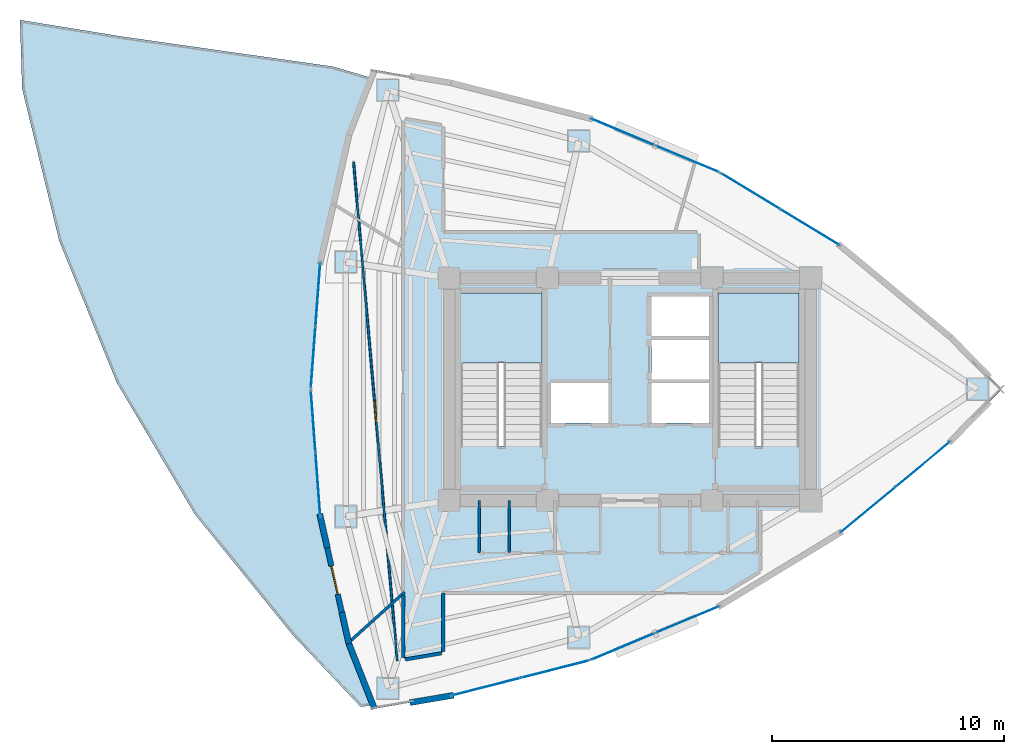
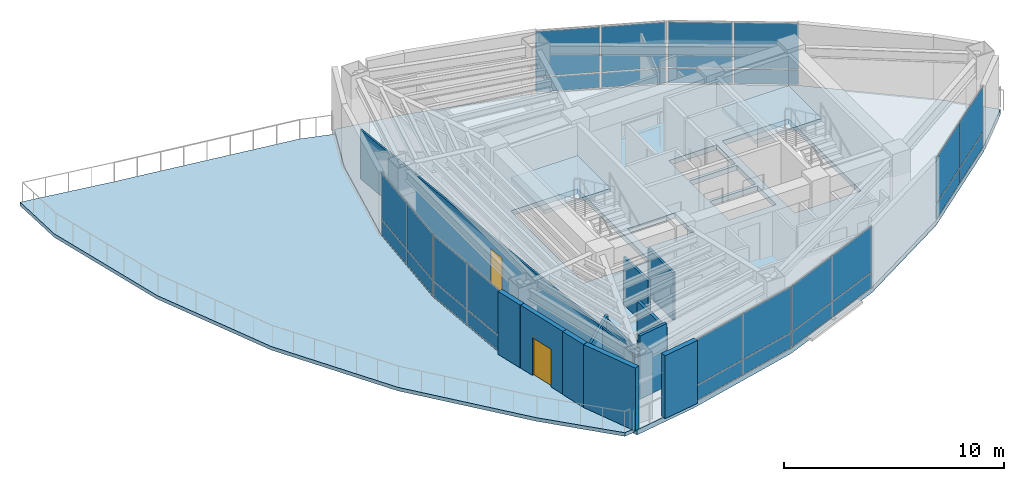
# One storey, part 12 of 17: 28 plates, 12 walls, 4 slabs, 2 doors, 2 openings, 9 elements without a shape of their own.
"""IFC4 building model written with IfcOpenShell, lengths in metres."""

from ifc_helpers import new_model, si_unit, direction, frame, frame_2d, origin, origin_2d, place, context, subcontext, project, spatial, polyline, rectangle, outline, extrude, material, layer, layer_set, type_object, element, fill, aggregate, save


model = new_model("IFC4")

# Units and contexts
model_context = context("Model", 3, precision=1e-05, world=origin(), true_north=direction((0.0, 1.0)))
body_context = subcontext(model_context, "Body", "Model", "MODEL_VIEW")
ifc_project = project(units=[si_unit("LENGTHUNIT", "METRE"), si_unit("AREAUNIT", "SQUARE_METRE"), si_unit("VOLUMEUNIT", "CUBIC_METRE"), si_unit("PLANEANGLEUNIT", "RADIAN"), si_unit("MASSUNIT", "GRAM", prefix="KILO")], contexts=[model_context])

# Site, building, storey
site_placement = place(None, origin())
site = spatial("IfcSite", under=ifc_project, at=site_placement, CompositionType="ELEMENT")
building_placement = place(site_placement, origin())
building = spatial("IfcBuilding", under=site, at=building_placement, Name="Menara Vayukalpa", CompositionType="ELEMENT")
storey_placement = place(building_placement, frame((0.0, 0.0, 206.39990234375)))
storey = spatial("IfcBuildingStorey", under=building, at=storey_placement, Name="L52", CompositionType="ELEMENT", Elevation=206.39990234375)

# Curtain wall, plates
ifc_material_1 = material(Name="Anodised Terracotta Aluminium Alloy 6063-T6", Category="masonry")
ifc_layer_1 = layer(ifc_material_1, 0.139892578125)
ifc_layer_set_1 = layer_set([ifc_layer_1], Name="Anodised Terracotta Aluminium Alloy 6063-T6")
curtain_wall_type = type_object("IfcCurtainWallType", Name="CW-CW5", PredefinedType="USERDEFINED", material=ifc_layer_set_1)
curtain_wall_1_placement = place(storey_placement, origin())
curtain_wall_1 = element("IfcCurtainWall", 1, at=curtain_wall_1_placement, inside=storey, type_object=curtain_wall_type, Name="L52 High Rise Tapered Curtain Wall CW5 04", ObjectType="UNITISED", PredefinedType="USERDEFINED")
ifc_material_2 = material(Name="Low-E Double Glazing", Category="glass")
ifc_layer_2 = layer(ifc_material_2, 0.028076171875)
ifc_layer_set_2 = layer_set([ifc_layer_2], Name="Low-E Double Glazing")
plate_type = type_object("IfcPlateType", Name="CWP-CW5", PredefinedType="CURTAIN_PANEL", material=ifc_layer_set_2)
plate_1_placement = place(storey_placement, frame((33.358642578125, 28.994384765625, 0.06005859375), z_axis=(0.0, 0.0, 1.0), x_axis=(-0.854664974832, 0.519179911779, 0.0)))
plate_1 = element("IfcPlate", 2, at=plate_1_placement, type_object=plate_type, Name="CW5 panel 1.1", PredefinedType="CURTAIN_PANEL", context=body_context, shape_type="SweptSolid", body=[
    extrude(rectangle(XDim=2.9423828125, YDim=0.028076171875, at=origin_2d()), origin(), (0.0, 0.0, 1.0), 0.81005859375),
])
plate_2_placement = place(storey_placement, frame((33.358642578125, 28.994384765625, 0.93017578125), z_axis=(0.0, 0.0, 1.0), x_axis=(-0.854664974832, 0.519179911779, 0.0)))
plate_2 = element("IfcPlate", 3, at=plate_2_placement, type_object=plate_type, Name="CW5 panel 1.2", PredefinedType="CURTAIN_PANEL", context=body_context, shape_type="SweptSolid", body=[
    extrude(rectangle(XDim=2.9423828125, YDim=0.028076171875, at=origin_2d()), origin(), (0.0, 0.0, 1.0), 2.510009765625),
])
plate_3_placement = place(storey_placement, frame((30.79248046875, 30.55322265625, 0.06005859375), z_axis=(0.0, 0.0, 1.0), x_axis=(-0.854664974832, 0.519179911779, 0.0)))
plate_3 = element("IfcPlate", 4, at=plate_3_placement, type_object=plate_type, Name="CW5 panel 2.1", PredefinedType="CURTAIN_PANEL", context=body_context, shape_type="SweptSolid", body=[
    extrude(rectangle(XDim=2.9423828125, YDim=0.028076171875, at=origin_2d()), origin(), (0.0, 0.0, 1.0), 0.81005859375),
])
plate_4_placement = place(storey_placement, frame((30.79248046875, 30.55322265625, 0.93017578125), z_axis=(0.0, 0.0, 1.0), x_axis=(-0.854664974832, 0.519179911779, 0.0)))
plate_4 = element("IfcPlate", 5, at=plate_4_placement, type_object=plate_type, Name="CW5 panel 2.2", PredefinedType="CURTAIN_PANEL", context=body_context, shape_type="SweptSolid", body=[
    extrude(rectangle(XDim=2.9423828125, YDim=0.028076171875, at=origin_2d()), origin(), (0.0, 0.0, 1.0), 2.510009765625),
])
aggregate(curtain_wall_1, [plate_1, plate_2, plate_3, plate_4])

curtain_wall_2_placement = place(storey_placement, origin())
curtain_wall_2 = element("IfcCurtainWall", 6, at=curtain_wall_2_placement, inside=storey, type_object=curtain_wall_type, Name="L52 High Rise Tapered Curtain Wall CW5 05", ObjectType="UNITISED", PredefinedType="USERDEFINED")
plate_5_placement = place(storey_placement, frame((28.071044921875, 31.93896484375, 0.06005859375), z_axis=(0.0, 0.0, 1.0), x_axis=(-0.922539431351, 0.385902834406, 0.0)))
plate_5 = element("IfcPlate", 7, at=plate_5_placement, type_object=plate_type, Name="CW5 panel 1.1", PredefinedType="CURTAIN_PANEL", context=body_context, shape_type="SweptSolid", body=[
    extrude(rectangle(XDim=2.9423828125, YDim=0.028076171875, at=origin_2d()), origin(), (0.0, 0.0, 1.0), 0.81005859375),
])
plate_6_placement = place(storey_placement, frame((28.071044921875, 31.93896484375, 0.93017578125), z_axis=(0.0, 0.0, 1.0), x_axis=(-0.922539431351, 0.385902834406, 0.0)))
plate_6 = element("IfcPlate", 8, at=plate_6_placement, type_object=plate_type, Name="CW5 panel 1.2", PredefinedType="CURTAIN_PANEL", context=body_context, shape_type="SweptSolid", body=[
    extrude(rectangle(XDim=2.9423828125, YDim=0.028076171875, at=origin_2d()), origin(), (0.0, 0.0, 1.0), 2.510009765625),
])
plate_7_placement = place(storey_placement, frame((25.30126953125, 33.09765625, 0.06005859375), z_axis=(0.0, 0.0, 1.0), x_axis=(-0.922539431351, 0.385902834406, 0.0)))
plate_7 = element("IfcPlate", 9, at=plate_7_placement, type_object=plate_type, Name="CW5 panel 2.1", PredefinedType="CURTAIN_PANEL", context=body_context, shape_type="SweptSolid", body=[
    extrude(rectangle(XDim=2.9423828125, YDim=0.028076171875, at=origin_2d()), origin(), (0.0, 0.0, 1.0), 0.81005859375),
])
plate_8_placement = place(storey_placement, frame((25.30126953125, 33.09765625, 0.93017578125), z_axis=(0.0, 0.0, 1.0), x_axis=(-0.922539431351, 0.385902834406, 0.0)))
plate_8 = element("IfcPlate", 10, at=plate_8_placement, type_object=plate_type, Name="CW5 panel 2.2", PredefinedType="CURTAIN_PANEL", context=body_context, shape_type="SweptSolid", body=[
    extrude(rectangle(XDim=2.9423828125, YDim=0.028076171875, at=origin_2d()), origin(), (0.0, 0.0, 1.0), 2.510009765625),
])
aggregate(curtain_wall_2, [plate_5, plate_6, plate_7, plate_8])

curtain_wall_3_placement = place(storey_placement, origin())
curtain_wall_3 = element("IfcCurtainWall", 11, at=curtain_wall_3_placement, inside=storey, type_object=curtain_wall_type, Name="L52 High Rise Tapered Curtain Wall CW5 10", ObjectType="UNITISED", PredefinedType="USERDEFINED")
plate_9_placement = place(storey_placement, frame((12.139892578125, 26.10205078125, 0.06005859375), z_axis=(0.0, 0.0, 1.0), x_axis=(-0.074791754736, -0.9971991744, 0.0)))
plate_9 = element("IfcPlate", 12, at=plate_9_placement, type_object=plate_type, Name="CW5 panel 1.1", PredefinedType="CURTAIN_PANEL", context=body_context, shape_type="SweptSolid", body=[
    extrude(rectangle(XDim=2.662353515625, YDim=0.028076171875, at=origin_2d()), origin(), (0.0, 0.0, 1.0), 0.81005859375),
])
plate_10_placement = place(storey_placement, frame((12.139892578125, 26.10205078125, 0.93017578125), z_axis=(0.0, 0.0, 1.0), x_axis=(-0.074791754736, -0.9971991744, 0.0)))
plate_10 = element("IfcPlate", 13, at=plate_10_placement, type_object=plate_type, Name="CW5 panel 1.2", PredefinedType="CURTAIN_PANEL", context=body_context, shape_type="SweptSolid", body=[
    extrude(rectangle(XDim=2.662353515625, YDim=0.028076171875, at=origin_2d()), origin(), (0.0, 0.0, 1.0), 2.510009765625),
])
plate_11_placement = place(storey_placement, frame((11.936279296875, 23.38720703125, 0.06005859375), z_axis=(0.0, 0.0, 1.0), x_axis=(-0.074791754736, -0.9971991744, 0.0)))
plate_11 = element("IfcPlate", 14, at=plate_11_placement, type_object=plate_type, Name="CW5 panel 2.1", PredefinedType="CURTAIN_PANEL", context=body_context, shape_type="SweptSolid", body=[
    extrude(rectangle(XDim=2.662353515625, YDim=0.028076171875, at=origin_2d()), origin(), (0.0, 0.0, 1.0), 0.81005859375),
])
plate_12_placement = place(storey_placement, frame((11.936279296875, 23.38720703125, 0.93017578125), z_axis=(0.0, 0.0, 1.0), x_axis=(-0.074791754736, -0.9971991744, 0.0)))
plate_12 = element("IfcPlate", 15, at=plate_12_placement, type_object=plate_type, Name="CW5 panel 2.2", PredefinedType="CURTAIN_PANEL", context=body_context, shape_type="SweptSolid", body=[
    extrude(rectangle(XDim=2.662353515625, YDim=0.028076171875, at=origin_2d()), origin(), (0.0, 0.0, 1.0), 2.510009765625),
])
aggregate(curtain_wall_3, [plate_9, plate_10, plate_11, plate_12])

curtain_wall_4_placement = place(storey_placement, origin())
curtain_wall_4 = element("IfcCurtainWall", 16, at=curtain_wall_4_placement, inside=storey, type_object=curtain_wall_type, Name="L52 High Rise Tapered Curtain Wall CW5 11", ObjectType="UNITISED", PredefinedType="USERDEFINED")
plate_13_placement = place(storey_placement, frame((11.936279296875, 20.61279296875, 0.06005859375), z_axis=(0.0, 0.0, 1.0), x_axis=(0.074791754736, -0.9971991744, 0.0)))
plate_13 = element("IfcPlate", 17, at=plate_13_placement, type_object=plate_type, Name="CW5 panel 1.1", PredefinedType="CURTAIN_PANEL", context=body_context, shape_type="SweptSolid", body=[
    extrude(rectangle(XDim=2.662353515625, YDim=0.028076171875, at=origin_2d()), origin(), (0.0, 0.0, 1.0), 0.81005859375),
])
plate_14_placement = place(storey_placement, frame((11.936279296875, 20.61279296875, 0.93017578125), z_axis=(0.0, 0.0, 1.0), x_axis=(0.074791754736, -0.9971991744, 0.0)))
plate_14 = element("IfcPlate", 18, at=plate_14_placement, type_object=plate_type, Name="CW5 panel 1.2", PredefinedType="CURTAIN_PANEL", context=body_context, shape_type="SweptSolid", body=[
    extrude(rectangle(XDim=2.662353515625, YDim=0.028076171875, at=origin_2d()), origin(), (0.0, 0.0, 1.0), 2.510009765625),
])
plate_15_placement = place(storey_placement, frame((12.139892578125, 17.89794921875, 0.06005859375), z_axis=(0.0, 0.0, 1.0), x_axis=(0.074791754736, -0.9971991744, 0.0)))
plate_15 = element("IfcPlate", 19, at=plate_15_placement, type_object=plate_type, Name="CW5 panel 2.1", PredefinedType="CURTAIN_PANEL", context=body_context, shape_type="SweptSolid", body=[
    extrude(rectangle(XDim=2.662353515625, YDim=0.028076171875, at=origin_2d()), origin(), (0.0, 0.0, 1.0), 0.81005859375),
])
plate_16_placement = place(storey_placement, frame((12.139892578125, 17.89794921875, 0.93017578125), z_axis=(0.0, 0.0, 1.0), x_axis=(0.074791754736, -0.9971991744, 0.0)))
plate_16 = element("IfcPlate", 20, at=plate_16_placement, type_object=plate_type, Name="CW5 panel 2.2", PredefinedType="CURTAIN_PANEL", context=body_context, shape_type="SweptSolid", body=[
    extrude(rectangle(XDim=2.662353515625, YDim=0.028076171875, at=origin_2d()), origin(), (0.0, 0.0, 1.0), 2.510009765625),
])
aggregate(curtain_wall_4, [plate_13, plate_14, plate_15, plate_16])

curtain_wall_5_placement = place(storey_placement, origin())
curtain_wall_5 = element("IfcCurtainWall", 21, at=curtain_wall_5_placement, inside=storey, type_object=curtain_wall_type, Name="L52 High Rise Tapered Curtain Wall CW5 16", ObjectType="UNITISED", PredefinedType="USERDEFINED")
plate_17_placement = place(storey_placement, frame((19.39794921875, 9.166015625, 0.06005859375), z_axis=(0.0, 0.0, 1.0), x_axis=(0.968982503631, 0.247129333864, 0.0)))
plate_17 = element("IfcPlate", 22, at=plate_17_placement, type_object=plate_type, Name="CW5 panel 1.1", PredefinedType="CURTAIN_PANEL", context=body_context, shape_type="SweptSolid", body=[
    extrude(rectangle(XDim=3.009521484375, YDim=0.028076171875, at=origin_2d()), origin(), (0.0, 0.0, 1.0), 0.81005859375),
])
plate_18_placement = place(storey_placement, frame((19.39794921875, 9.166015625, 0.93017578125), z_axis=(0.0, 0.0, 1.0), x_axis=(0.968982503631, 0.247129333864, 0.0)))
plate_18 = element("IfcPlate", 23, at=plate_18_placement, type_object=plate_type, Name="CW5 panel 1.2", PredefinedType="CURTAIN_PANEL", context=body_context, shape_type="SweptSolid", body=[
    extrude(rectangle(XDim=3.009521484375, YDim=0.028076171875, at=origin_2d()), origin(), (0.0, 0.0, 1.0), 2.510009765625),
])
plate_19_placement = place(storey_placement, frame((22.372314453125, 9.9248046875, 0.06005859375), z_axis=(0.0, 0.0, 1.0), x_axis=(0.968982503631, 0.247129333864, 0.0)))
plate_19 = element("IfcPlate", 24, at=plate_19_placement, type_object=plate_type, Name="CW5 panel 2.1", PredefinedType="CURTAIN_PANEL", context=body_context, shape_type="SweptSolid", body=[
    extrude(rectangle(XDim=3.009521484375, YDim=0.028076171875, at=origin_2d()), origin(), (0.0, 0.0, 1.0), 0.81005859375),
])
plate_20_placement = place(storey_placement, frame((22.372314453125, 9.9248046875, 0.93017578125), z_axis=(0.0, 0.0, 1.0), x_axis=(0.968982503631, 0.247129333864, 0.0)))
plate_20 = element("IfcPlate", 25, at=plate_20_placement, type_object=plate_type, Name="CW5 panel 2.2", PredefinedType="CURTAIN_PANEL", context=body_context, shape_type="SweptSolid", body=[
    extrude(rectangle(XDim=3.009521484375, YDim=0.028076171875, at=origin_2d()), origin(), (0.0, 0.0, 1.0), 2.510009765625),
])
aggregate(curtain_wall_5, [plate_17, plate_18, plate_19, plate_20])

curtain_wall_6_placement = place(storey_placement, origin())
curtain_wall_6 = element("IfcCurtainWall", 26, at=curtain_wall_6_placement, inside=storey, type_object=curtain_wall_type, Name="L52 High Rise Tapered Curtain Wall CW5 17", ObjectType="UNITISED", PredefinedType="USERDEFINED")
plate_21_placement = place(storey_placement, frame((25.30126953125, 10.90234375, 0.06005859375), z_axis=(0.0, 0.0, 1.0), x_axis=(0.922539431351, 0.385902834406, 0.0)))
plate_21 = element("IfcPlate", 27, at=plate_21_placement, type_object=plate_type, Name="CW5 panel 1.1", PredefinedType="CURTAIN_PANEL", context=body_context, shape_type="SweptSolid", body=[
    extrude(rectangle(XDim=2.9423828125, YDim=0.028076171875, at=origin_2d()), origin(), (0.0, 0.0, 1.0), 0.81005859375),
])
plate_22_placement = place(storey_placement, frame((25.30126953125, 10.90234375, 0.93017578125), z_axis=(0.0, 0.0, 1.0), x_axis=(0.922539431351, 0.385902834406, 0.0)))
plate_22 = element("IfcPlate", 28, at=plate_22_placement, type_object=plate_type, Name="CW5 panel 1.2", PredefinedType="CURTAIN_PANEL", context=body_context, shape_type="SweptSolid", body=[
    extrude(rectangle(XDim=2.9423828125, YDim=0.028076171875, at=origin_2d()), origin(), (0.0, 0.0, 1.0), 2.510009765625),
])
plate_23_placement = place(storey_placement, frame((28.071044921875, 12.06103515625, 0.06005859375), z_axis=(0.0, 0.0, 1.0), x_axis=(0.922539431351, 0.385902834406, 0.0)))
plate_23 = element("IfcPlate", 29, at=plate_23_placement, type_object=plate_type, Name="CW5 panel 2.1", PredefinedType="CURTAIN_PANEL", context=body_context, shape_type="SweptSolid", body=[
    extrude(rectangle(XDim=2.9423828125, YDim=0.028076171875, at=origin_2d()), origin(), (0.0, 0.0, 1.0), 0.81005859375),
])
plate_24_placement = place(storey_placement, frame((28.071044921875, 12.06103515625, 0.93017578125), z_axis=(0.0, 0.0, 1.0), x_axis=(0.922539431351, 0.385902834406, 0.0)))
plate_24 = element("IfcPlate", 30, at=plate_24_placement, type_object=plate_type, Name="CW5 panel 2.2", PredefinedType="CURTAIN_PANEL", context=body_context, shape_type="SweptSolid", body=[
    extrude(rectangle(XDim=2.9423828125, YDim=0.028076171875, at=origin_2d()), origin(), (0.0, 0.0, 1.0), 2.510009765625),
])
aggregate(curtain_wall_6, [plate_21, plate_22, plate_23, plate_24])

curtain_wall_7_placement = place(storey_placement, origin())
curtain_wall_7 = element("IfcCurtainWall", 31, at=curtain_wall_7_placement, inside=storey, type_object=curtain_wall_type, Name="L52 High Rise Tapered Curtain Wall CW5 19", ObjectType="UNITISED", PredefinedType="USERDEFINED")
plate_25_placement = place(storey_placement, frame((35.871826171875, 16.799560546875, 0.06005859375), z_axis=(0.0, 0.0, 1.0), x_axis=(0.769756800455, 0.638337268341, 0.0)))
plate_25 = element("IfcPlate", 32, at=plate_25_placement, type_object=plate_type, Name="CW5 panel 1.1", PredefinedType="CURTAIN_PANEL", context=body_context, shape_type="SweptSolid", body=[
    extrude(rectangle(XDim=3.009521484375, YDim=0.028076171875, at=origin_2d()), origin(), (0.0, 0.0, 1.0), 0.81005859375),
])
plate_26_placement = place(storey_placement, frame((35.871826171875, 16.799560546875, 0.93017578125), z_axis=(0.0, 0.0, 1.0), x_axis=(0.769756800455, 0.638337268341, 0.0)))
plate_26 = element("IfcPlate", 33, at=plate_26_placement, type_object=plate_type, Name="CW5 panel 1.2", PredefinedType="CURTAIN_PANEL", context=body_context, shape_type="SweptSolid", body=[
    extrude(rectangle(XDim=3.009521484375, YDim=0.028076171875, at=origin_2d()), origin(), (0.0, 0.0, 1.0), 2.510009765625),
])
plate_27_placement = place(storey_placement, frame((38.234619140625, 18.759033203125, 0.06005859375), z_axis=(0.0, 0.0, 1.0), x_axis=(0.769756800455, 0.638337268341, 0.0)))
plate_27 = element("IfcPlate", 34, at=plate_27_placement, type_object=plate_type, Name="CW5 panel 2.1", PredefinedType="CURTAIN_PANEL", context=body_context, shape_type="SweptSolid", body=[
    extrude(rectangle(XDim=3.009521484375, YDim=0.028076171875, at=origin_2d()), origin(), (0.0, 0.0, 1.0), 0.81005859375),
])
plate_28_placement = place(storey_placement, frame((38.234619140625, 18.759033203125, 0.93017578125), z_axis=(0.0, 0.0, 1.0), x_axis=(0.769756800455, 0.638337268341, 0.0)))
plate_28 = element("IfcPlate", 35, at=plate_28_placement, type_object=plate_type, Name="CW5 panel 2.2", PredefinedType="CURTAIN_PANEL", context=body_context, shape_type="SweptSolid", body=[
    extrude(rectangle(XDim=3.009521484375, YDim=0.028076171875, at=origin_2d()), origin(), (0.0, 0.0, 1.0), 2.510009765625),
])
aggregate(curtain_wall_7, [plate_25, plate_26, plate_27, plate_28])

# Slab
ifc_material_3 = material(Name="Concrete C40/50", Category="concrete")
ifc_layer_3 = layer(ifc_material_3, 0.280029296875)
ifc_layer_set_3 = layer_set([ifc_layer_3], Name="Concrete C40/50")
slab_type_1 = type_object("IfcSlabType", Name="SLB-FL280", PredefinedType="FLOOR", material=ifc_layer_set_3)
slab_1_placement = place(storey_placement, frame((0.0, 0.0, -0.27978515625)))
element("IfcSlab", 36, at=slab_1_placement, inside=storey, type_object=slab_type_1, Name="L52 Structural Floor Slab", PredefinedType="FLOOR", context=body_context, shape_type="SweptSolid", body=[
    extrude(outline(polyline([(39.439208984375, 19.7578125), (41.640380859375, 22.0), (39.439208984375, 24.2421875), (34.667236328125, 28.19921875), (29.48388671875, 31.34814453125), (23.888671875, 33.688720703125), (17.881591796875, 35.220703125), (14.579833984375, 35.781005859375), (13.47900390625, 32.978515625), (12.243896484375, 27.4892578125), (11.832275390625, 22.0), (12.243896484375, 16.5107421875), (13.47900390625, 11.021484375), (14.579833984375, 8.218994140625), (17.881591796875, 8.779296875), (23.888671875, 10.311279296875), (29.48388671875, 12.65185546875), (34.667236328125, 15.80078125), (39.439208984375, 19.7578125)]), holes=[polyline([(21.800048828125, 19.550048828125), (21.800048828125, 26.14990234375), (18.300048828125, 26.14990234375), (18.300048828125, 19.550048828125), (21.800048828125, 19.550048828125)]), polyline([(32.89990234375, 19.550048828125), (32.89990234375, 26.14990234375), (29.39990234375, 26.14990234375), (29.39990234375, 19.550048828125), (32.89990234375, 19.550048828125)]), polyline([(22.179931640625, 20.550048828125), (24.679931640625, 20.550048828125), (24.679931640625, 22.27001953125), (22.179931640625, 22.27001953125), (22.179931640625, 20.550048828125)]), polyline([(26.52001953125, 20.550048828125), (29.02001953125, 20.550048828125), (29.02001953125, 22.27001953125), (26.52001953125, 22.27001953125), (26.52001953125, 20.550048828125)]), polyline([(26.52001953125, 24.2900390625), (29.02001953125, 24.2900390625), (29.02001953125, 26.010009765625), (26.52001953125, 26.010009765625), (26.52001953125, 24.2900390625)]), polyline([(26.52001953125, 22.419921875), (29.02001953125, 22.419921875), (29.02001953125, 24.139892578125), (26.52001953125, 24.139892578125), (26.52001953125, 22.419921875)])]), origin(), (0.0, 0.0, 1.0), 0.27978515625),
])

# Stair, slab
ifc_material_4 = material(Name="Precast Concrete C40/50", Category="concrete")
stair_type = type_object("IfcStairType", Name="STR-T04", PredefinedType="DOUBLE_RETURN_STAIR", material=ifc_material_4)
stair_1_placement = place(storey_placement, origin())
stair_1 = element("IfcStair", 37, at=stair_1_placement, inside=storey, type_object=stair_type, Name="L52 Core Exit Stair ST-1", PredefinedType="DOUBLE_RETURN_STAIR")
ifc_material_5 = material(Name="Precast Concrete C40/50", Category="concrete")
ifc_layer_4 = layer(ifc_material_5, 0.199951171875)
ifc_layer_set_4 = layer_set([ifc_layer_4], Name="Precast Concrete C40/50")
slab_type_2 = type_object("IfcSlabType", Name="SLB-LND200", PredefinedType="LANDING", material=ifc_layer_set_4)
slab_2_placement = place(storey_placement, frame((0.0, 0.0, 1.66015625)))
slab_2 = element("IfcSlab", 38, at=slab_2_placement, type_object=slab_type_2, Name="ST-1 landing 1", PredefinedType="LANDING", context=body_context, shape_type="SweptSolid", body=[
    extrude(outline(polyline([(21.800048828125, 23.1298828125), (21.800048828125, 26.14990234375), (18.300048828125, 26.14990234375), (18.300048828125, 23.1298828125), (21.800048828125, 23.1298828125)])), origin(), (0.0, 0.0, 1.0), 0.199951171875),
])
aggregate(stair_1, [slab_2])

stair_2_placement = place(storey_placement, origin())
stair_2 = element("IfcStair", 39, at=stair_2_placement, inside=storey, type_object=stair_type, Name="L52 Core Exit Stair ST-2", PredefinedType="DOUBLE_RETURN_STAIR")
slab_3_placement = place(storey_placement, frame((0.0, 0.0, 1.66015625)))
slab_3 = element("IfcSlab", 40, at=slab_3_placement, type_object=slab_type_2, Name="ST-2 landing 1", PredefinedType="LANDING", context=body_context, shape_type="SweptSolid", body=[
    extrude(outline(polyline([(32.89990234375, 23.1298828125), (32.89990234375, 26.14990234375), (29.39990234375, 26.14990234375), (29.39990234375, 23.1298828125), (32.89990234375, 23.1298828125)])), origin(), (0.0, 0.0, 1.0), 0.199951171875),
])
aggregate(stair_2, [slab_3])

# Slab
ifc_material_6 = material(Name="Concrete C40/50", Category="concrete")
ifc_layer_5 = layer(ifc_material_6, 0.199951171875)
ifc_layer_set_5 = layer_set([ifc_layer_5], Name="Concrete C40/50")
slab_type_3 = type_object("IfcSlabType", Name="SLB-TR200", PredefinedType="FLOOR", material=ifc_layer_set_5)
slab_4_placement = place(storey_placement, frame((0.0, 0.0, -0.199951171875)))
element("IfcSlab", 41, at=slab_4_placement, inside=storey, type_object=slab_type_3, Name="L52 High Rise Sky Garden Terrace", PredefinedType="FLOOR", context=body_context, shape_type="SweptSolid", body=[
    extrude(outline(polyline([(13.982177734375, 8.302978515625), (11.08837890625, 11.357421875), (6.833984375, 16.599609375), (3.465087890625, 22.280517578125), (0.98095703125, 28.400634765625), (-0.6181640625, 34.959716796875), (-0.712890625, 37.930419921875), (3.784423828125, 37.201904296875), (12.810546875, 35.9169921875), (14.424072265625, 35.439208984375), (13.46044921875, 32.98583984375), (13.4599609375, 32.984375), (13.459716796875, 32.98291015625), (12.224609375, 27.49365234375), (12.22412109375, 27.49072265625), (11.8125, 22.00146484375), (11.812255859375, 22.0), (11.8125, 21.99853515625), (12.22412109375, 16.50927734375), (12.224609375, 16.50634765625), (13.459716796875, 11.01708984375), (13.4599609375, 11.015625), (13.46044921875, 11.01416015625), (14.50048828125, 8.3662109375), (13.982177734375, 8.302978515625)])), origin(), (0.0, 0.0, 1.0), 0.199951171875),
])

# Wall, opening, door
ifc_material_7 = material(Name="Insulated Precast Concrete C40/50", Category="concrete")
ifc_layer_6 = layer(ifc_material_7, 0.22998046875)
ifc_layer_set_6 = layer_set([ifc_layer_6], Name="Insulated Precast Concrete C40/50")
wall_type_1 = type_object("IfcWallType", Name="WAL-EXT230", PredefinedType="PARTITIONING", material=ifc_layer_set_6)
wall_1_placement = place(storey_placement, frame((13.1767578125, 12.365234375, 0.0), z_axis=(0.0, 0.0, 1.0), x_axis=(-0.219504103435, 0.975611576692, 0.0)))
wall_1 = element("IfcWall", 42, at=wall_1_placement, inside=storey, type_object=wall_type_1, Name="L52 Sky Terrace Access Wall", PredefinedType="PARTITIONING", context=body_context, shape_type="SweptSolid", body=[
    extrude(rectangle(XDim=2.871826171875, YDim=0.22998046875, at=frame_2d((1.43603515625, 0.0))), origin(), (0.0, 0.0, 1.0), 3.5),
])
opening_1_placement = place(wall_1_placement, frame((0.81103515625, 0.0, 0.0)))
opening_1 = element("IfcOpeningElement", 43, at=opening_1_placement, cuts=wall_1, Name="Opening ED3", PredefinedType="OPENING", context=body_context, shape_type="SweptSolid", body=[
    extrude(rectangle(XDim=1.25, YDim=2.10009765625, at=frame_2d((0.625, 1.050048828125))), frame((0.0, 0.125, 0.0), z_axis=(0.0, -1.0, 0.0), x_axis=(1.0, 0.0, 0.0)), (0.0, 0.0, 1.0), 0.25),
])
ifc_material_8 = material(Name="Thermally Broken Aluminium Terrace Door", Category="aluminium")
door_type_1 = type_object("IfcDoorType", Name="DR-EX125", OperationType="NOTDEFINED", PredefinedType="DOOR", material=ifc_material_8)
door_1_placement = place(opening_1_placement, origin())
door_1 = element("IfcDoor", 44, at=door_1_placement, inside=storey, type_object=door_type_1, Name="L52 Outdoor Sky Terrace Access Door", OperationType="SINGLE_SWING_RIGHT", OverallHeight=2.10009765625, OverallWidth=1.25, PredefinedType="DOOR", context=body_context, shape_type="SweptSolid", body=[
    extrude(rectangle(XDim=1.25, YDim=2.10009765625, at=frame_2d((0.625, 1.050048828125))), frame((0.0, 0.02490234375, 0.0), z_axis=(0.0, -1.0, 0.0), x_axis=(1.0, 0.0, 0.0)), (0.0, 0.0, 1.0), 0.050048828125),
])
fill(opening_1, door_1)

# Walls
ifc_material_9 = material(Name="Insulated Precast Concrete C40/50", Category="concrete")
ifc_layer_7 = layer(ifc_material_9, 0.260009765625)
ifc_layer_set_7 = layer_set([ifc_layer_7], Name="Insulated Precast Concrete C40/50")
wall_type_2 = type_object("IfcWallType", Name="WAL-EXT260", PredefinedType="PARTITIONING", material=ifc_layer_set_7)
wall_2_placement = place(storey_placement, frame((12.549072265625, 15.155517578125, 0.0), z_axis=(0.0, 0.0, 1.0), x_axis=(-0.219516070093, 0.975608884221, 0.0)))
element("IfcWall", 45, at=wall_2_placement, inside=storey, type_object=wall_type_2, Name="L52 Perimeter Terracotta Pier Wall 12", PredefinedType="PARTITIONING", context=body_context, shape_type="SweptSolid", body=[
    extrude(rectangle(XDim=1.499267578125, YDim=0.260009765625, at=frame_2d((0.74951171875, 0.0))), origin(), (0.0, 0.0, 1.0), 3.5),
])
wall_3_placement = place(storey_placement, frame((13.47900390625, 11.021484375, 0.0), z_axis=(0.0, 0.0, 1.0), x_axis=(-0.219478743747, 0.975617282054, 0.0)))
element("IfcWall", 46, at=wall_3_placement, inside=storey, type_object=wall_type_2, Name="L52 Perimeter Terracotta Pier Wall 13", PredefinedType="PARTITIONING", context=body_context, shape_type="SweptSolid", body=[
    extrude(rectangle(XDim=1.389404296875, YDim=0.260009765625, at=frame_2d((0.69482421875, 0.0))), origin(), (0.0, 0.0, 1.0), 3.5),
])
wall_4_placement = place(storey_placement, frame((14.579833984375, 8.218994140625, 0.0), z_axis=(0.0, 0.0, 1.0), x_axis=(-0.365609724313, 0.930768246927, 0.0)))
element("IfcWall", 47, at=wall_4_placement, inside=storey, type_object=wall_type_2, Name="L52 Perimeter Terracotta Pier Wall 14", PredefinedType="PARTITIONING", context=body_context, shape_type="SweptSolid", body=[
    extrude(rectangle(XDim=3.010986328125, YDim=0.260009765625, at=frame_2d((1.50537109375, 0.0))), origin(), (0.0, 0.0, 1.0), 3.5),
])
wall_5_placement = place(storey_placement, frame((17.9951171875, 8.798583984375, 0.0), z_axis=(0.0, 0.0, 1.0), x_axis=(-0.985893312528, -0.167374957247, 0.0)))
element("IfcWall", 48, at=wall_5_placement, inside=storey, type_object=wall_type_2, Name="L52 Perimeter Terracotta Pier Wall 15", PredefinedType="PARTITIONING", context=body_context, shape_type="SweptSolid", body=[
    extrude(rectangle(XDim=1.915283203125, YDim=0.260009765625, at=frame_2d((0.95751953125, 0.0))), origin(), (0.0, 0.0, 1.0), 3.5),
])

# Wall, opening, door
ifc_material_10 = material(Name="Glazed Demountable Office Partition", Category="glass")
ifc_layer_8 = layer(ifc_material_10, 0.094970703125)
ifc_layer_set_8 = layer_set([ifc_layer_8], Name="Glazed Demountable Office Partition")
wall_type_3 = type_object("IfcWallType", Name="WAL-PT100", PredefinedType="PARTITIONING", material=ifc_layer_set_8)
wall_6_placement = place(storey_placement, frame((13.6796875, 31.794921875, 0.0), z_axis=(0.0, 0.0, 1.0), x_axis=(0.087160919272, -0.996194245191, 0.0)))
wall_6 = element("IfcWall", 49, at=wall_6_placement, inside=storey, type_object=wall_type_3, Name="L52 Interior Partition IW-L52-RDIV04", PredefinedType="PARTITIONING", context=body_context, shape_type="SweptSolid", body=[
    extrude(rectangle(XDim=21.59326171875, YDim=0.094970703125, at=frame_2d((10.796630859375, 0.0))), origin(), (0.0, 0.0, 1.0), 2.72998046875),
])
opening_2_placement = place(wall_6_placement, frame((10.33642578125, 0.0, 0.0)))
opening_2 = element("IfcOpeningElement", 50, at=opening_2_placement, cuts=wall_6, Name="Opening ID6", PredefinedType="OPENING", context=body_context, shape_type="SweptSolid", body=[
    extrude(rectangle(XDim=0.919921875, YDim=2.050048828125, at=frame_2d((0.4599609375, 1.02490234375))), frame((0.0, 0.057373046875, 0.0), z_axis=(0.0, -1.0, 0.0), x_axis=(1.0, 0.0, 0.0)), (0.0, 0.0, 1.0), 0.114990234375),
])
ifc_material_11 = material(Name="Acoustic Hardwood Veneer Timber Door", Category="wood")
door_type_2 = type_object("IfcDoorType", Name="DR-INT92", OperationType="NOTDEFINED", PredefinedType="DOOR", material=ifc_material_11)
door_2_placement = place(opening_2_placement, origin())
door_2 = element("IfcDoor", 51, at=door_2_placement, inside=storey, type_object=door_type_2, Name="L52 Interior Door DR-L52-STE01", OperationType="SINGLE_SWING_LEFT", OverallHeight=2.050048828125, OverallWidth=0.919921875, PredefinedType="DOOR", context=body_context, shape_type="SweptSolid", body=[
    extrude(rectangle(XDim=0.919921875, YDim=2.050048828125, at=frame_2d((0.4599609375, 1.02490234375))), frame((0.0, 0.02490234375, 0.0), z_axis=(0.0, -1.0, 0.0), x_axis=(1.0, 0.0, 0.0)), (0.0, 0.0, 1.0), 0.050048828125),
])
fill(opening_2, door_2)

# Walls
ifc_material_12 = material(Name="Acoustic Mineral Stud Partition", Category="masonry")
ifc_layer_9 = layer(ifc_material_12, 0.110107421875)
ifc_layer_set_9 = layer_set([ifc_layer_9], Name="Acoustic Mineral Stud Partition")
wall_type_4 = type_object("IfcWallType", Name="WAL-PT110", PredefinedType="PARTITIONING", material=ifc_layer_set_9)
wall_7_placement = place(storey_placement, frame((20.39990234375, 14.949951171875, 0.0), z_axis=(0.0, 0.0, 1.0), x_axis=(0.0, 1.0, 0.0)))
element("IfcWall", 52, at=wall_7_placement, inside=storey, type_object=wall_type_4, Name="L52 Interior Partition IW-L52-SVCD-02", PredefinedType="PARTITIONING", context=body_context, shape_type="SweptSolid", body=[
    extrude(rectangle(XDim=2.25, YDim=0.110107421875, at=frame_2d((1.125, 0.0))), origin(), (0.0, 0.0, 1.0), 2.630126953125),
])
ifc_material_13 = material(Name="Gypsum Drywall Steel Stud Assembly", Category="steel")
ifc_layer_10 = layer(ifc_material_13, 0.125)
ifc_layer_set_10 = layer_set([ifc_layer_10], Name="Gypsum Drywall Steel Stud Assembly")
wall_type_5 = type_object("IfcWallType", Name="WAL-PT125", PredefinedType="PARTITIONING", material=ifc_layer_set_10)
wall_8_placement = place(storey_placement, frame((19.10009765625, 14.949951171875, 0.0), z_axis=(0.0, 0.0, 1.0), x_axis=(0.0, 1.0, 0.0)))
element("IfcWall", 53, at=wall_8_placement, inside=storey, type_object=wall_type_5, Name="L52 Interior Partition IW-L52-SVCD-01", PredefinedType="PARTITIONING", context=body_context, shape_type="SweptSolid", body=[
    extrude(rectangle(XDim=2.25, YDim=0.125, at=frame_2d((1.125, 0.0))), origin(), (0.0, 0.0, 1.0), 2.630126953125),
])
wall_9_placement = place(storey_placement, frame((15.8701171875, 13.239013671875, 0.0), z_axis=(0.0, 0.0, 1.0), x_axis=(-0.743151976427, -0.669122664339, 0.0)))
element("IfcWall", 54, at=wall_9_placement, inside=storey, type_object=wall_type_5, Name="L52 Interior Partition IW-L52-RDIV03", PredefinedType="PARTITIONING", context=body_context, shape_type="SweptSolid", body=[
    extrude(rectangle(XDim=3.2451171875, YDim=0.125, at=frame_2d((1.62255859375, 0.0))), origin(), (0.0, 0.0, 1.0), 2.93017578125),
])
ifc_material_14 = material(Name="Gypsum Drywall Acoustic Stud Assembly", Category="masonry")
ifc_layer_11 = layer(ifc_material_14, 0.14501953125)
ifc_layer_set_11 = layer_set([ifc_layer_11], Name="Gypsum Drywall Acoustic Stud Assembly")
wall_type_6 = type_object("IfcWallType", Name="WAL-PT150", PredefinedType="PARTITIONING", material=ifc_layer_set_11)
wall_10_placement = place(storey_placement, frame((15.820068359375, 13.099853515625, 0.0), z_axis=(0.0, 0.0, 1.0), x_axis=(0.0, -1.0, 0.0)))
element("IfcWall", 55, at=wall_10_placement, inside=storey, type_object=wall_type_6, Name="L52 Interior Partition IW-L52-CRM03-1", PredefinedType="PARTITIONING", context=body_context, shape_type="SweptSolid", body=[
    extrude(rectangle(XDim=2.678955078125, YDim=0.14501953125, at=frame_2d((1.33935546875, 0.0))), origin(), (0.0, 0.0, 1.0), 2.72998046875),
])
wall_11_placement = place(storey_placement, frame((15.913330078125, 10.342041015625, 0.0), z_axis=(0.0, 0.0, 1.0), x_axis=(0.985914419316, 0.167250583809, 0.0)))
element("IfcWall", 56, at=wall_11_placement, inside=storey, type_object=wall_type_6, Name="L52 Interior Partition IW-L52-CRM03-2", PredefinedType="PARTITIONING", context=body_context, shape_type="SweptSolid", body=[
    extrude(rectangle(XDim=1.582275390625, YDim=0.14501953125, at=frame_2d((0.791015625, 0.0))), origin(), (0.0, 0.0, 1.0), 3.5),
])
wall_12_placement = place(storey_placement, frame((17.5400390625, 10.685791015625, 0.0), z_axis=(0.0, 0.0, 1.0), x_axis=(0.0, 1.0, 0.0)))
element("IfcWall", 57, at=wall_12_placement, inside=storey, type_object=wall_type_6, Name="L52 Interior Partition IW-L52-CRM03-3", PredefinedType="PARTITIONING", context=body_context, shape_type="SweptSolid", body=[
    extrude(rectangle(XDim=2.524169921875, YDim=0.14501953125, at=frame_2d((1.26220703125, 0.0))), origin(), (0.0, 0.0, 1.0), 3.130126953125),
])

save(model, "model.ifc")
